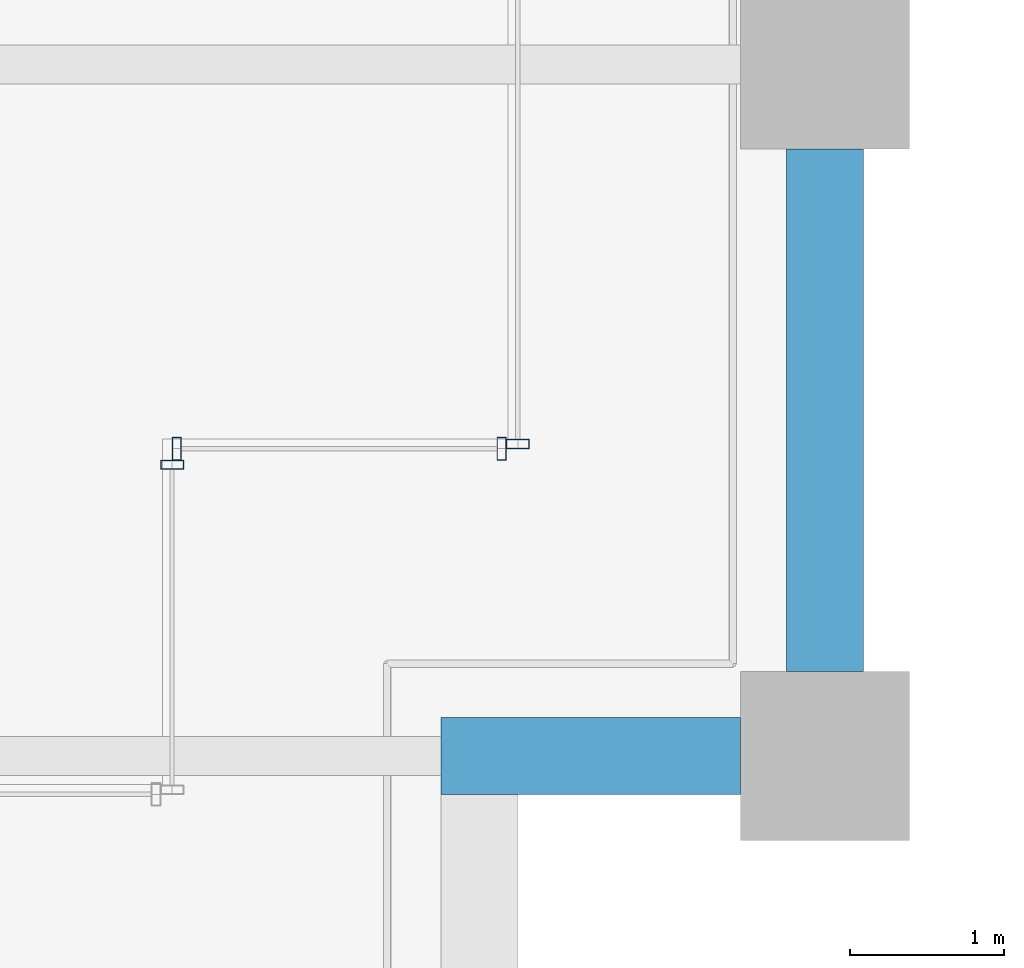
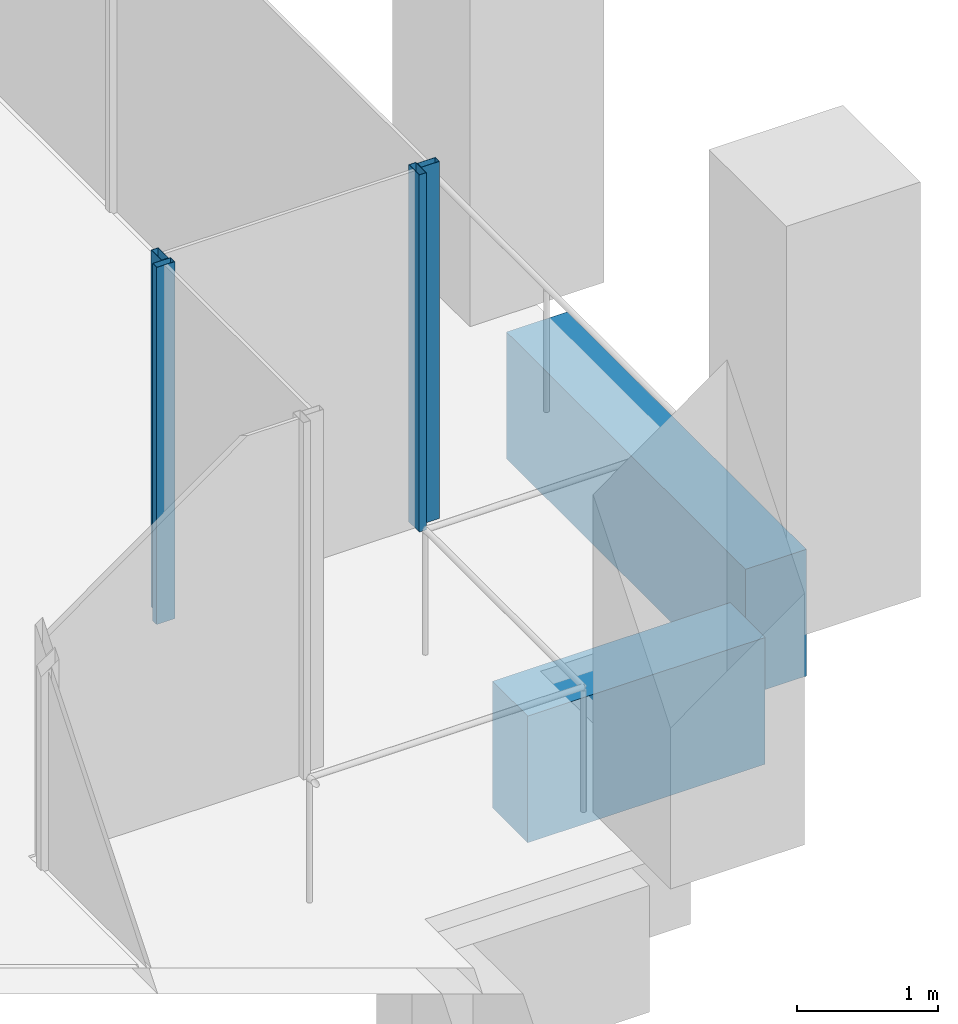
# One storey, part 16 of 56: 4 members, 2 beams, 3 elements without a shape of their own.
"""IFC4 building model written with IfcOpenShell, lengths in metres."""

from ifc_helpers import new_model, si_unit, direction, frame, origin, origin_2d, place, context, subcontext, project, spatial, rectangle, hollow_rectangle, extrude, material, material_profile, profile_set, type_object, element, aggregate, save


model = new_model("IFC4")

# Units and contexts
model_context = context("Model", 3, precision=1e-05, world=origin(), true_north=direction((0.0, 1.0)))
body_context = subcontext(model_context, "Body", "Model", "MODEL_VIEW")
ifc_project = project(units=[si_unit("LENGTHUNIT", "METRE"), si_unit("AREAUNIT", "SQUARE_METRE"), si_unit("VOLUMEUNIT", "CUBIC_METRE"), si_unit("PLANEANGLEUNIT", "RADIAN"), si_unit("MASSUNIT", "GRAM", prefix="KILO")], contexts=[model_context])

# Site, building, storey
site_placement = place(None, origin())
site = spatial("IfcSite", under=ifc_project, at=site_placement, CompositionType="ELEMENT")
building_placement = place(site_placement, origin())
building = spatial("IfcBuilding", under=site, at=building_placement, Name="Altepetl Exchange Towers", CompositionType="ELEMENT")
storey_placement = place(building_placement, frame((0.0, 0.0, 79.800048828125)))
storey = spatial("IfcBuildingStorey", under=building, at=storey_placement, Name="L19", CompositionType="ELEMENT", Elevation=79.800048828125)

# Curtain wall, member
ifc_material_1 = material(Name="Aluminium 6063-T6 glazing", Category="aluminium")
curtain_wall_type = type_object("IfcCurtainWallType", Name="Loggia glazing system", PredefinedType="NOTDEFINED", material=ifc_material_1)
curtain_wall_1_placement = place(storey_placement, origin())
curtain_wall_1 = element("IfcCurtainWall", 1, at=curtain_wall_1_placement, inside=storey, type_object=curtain_wall_type, Name="CW1 run", PredefinedType="NOTDEFINED")
ifc_material_2 = material(Name="Aluminium 6063-T6", Category="aluminium")
ifc_material_profile_1 = material_profile(ifc_material_2, hollow_rectangle(XDim=0.06005859375, YDim=0.14990234375, WallThickness=0.0029296875, at=origin_2d()), Name="Mullion 60x150 aluminium")
ifc_profile_set_1 = profile_set([ifc_material_profile_1], Name="Aluminium 6063-T6")
member_type = type_object("IfcMemberType", Name="Mullion 60x150 aluminium", PredefinedType="MULLION", material=ifc_profile_set_1)
member_1_placement = place(storey_placement, frame((67.75, 33.39501953125, 0.0), z_axis=(0.0, 0.0, 1.0), x_axis=(0.0, 1.0, 0.0)))
member_1 = element("IfcMember", 2, at=member_1_placement, type_object=member_type, Name="MU1 mullion", PredefinedType="MULLION", context=body_context, shape_type="SweptSolid", body=[
    extrude(hollow_rectangle(XDim=0.06005859375, YDim=0.14990234375, WallThickness=0.0029296875, at=origin_2d()), origin(), (0.0, 0.0, 1.0), 3.099853515625),
])
aggregate(curtain_wall_1, [member_1])

# Curtain wall, members
curtain_wall_2_placement = place(storey_placement, origin())
curtain_wall_2 = element("IfcCurtainWall", 3, at=curtain_wall_2_placement, inside=storey, type_object=curtain_wall_type, Name="CW1 run", PredefinedType="NOTDEFINED")
member_2_placement = place(storey_placement, frame((67.780029296875, 33.5, 0.0)))
member_2 = element("IfcMember", 4, at=member_2_placement, type_object=member_type, Name="MU1 mullion", PredefinedType="MULLION", context=body_context, shape_type="SweptSolid", body=[
    extrude(hollow_rectangle(XDim=0.06005859375, YDim=0.14990234375, WallThickness=0.0029296875, at=origin_2d()), origin(), (0.0, 0.0, 1.0), 3.099853515625),
])
member_3_placement = place(storey_placement, frame((69.89501953125, 33.5, 0.0)))
member_3 = element("IfcMember", 5, at=member_3_placement, type_object=member_type, Name="MU1 mullion", PredefinedType="MULLION", context=body_context, shape_type="SweptSolid", body=[
    extrude(hollow_rectangle(XDim=0.06005859375, YDim=0.14990234375, WallThickness=0.0029296875, at=origin_2d()), origin(), (0.0, 0.0, 1.0), 3.099853515625),
])
aggregate(curtain_wall_2, [member_2, member_3])

# Curtain wall, member
curtain_wall_3_placement = place(storey_placement, origin())
curtain_wall_3 = element("IfcCurtainWall", 6, at=curtain_wall_3_placement, inside=storey, type_object=curtain_wall_type, Name="CW1 run", PredefinedType="NOTDEFINED")
member_4_placement = place(storey_placement, frame((70.0, 33.530029296875, 0.0), z_axis=(0.0, 0.0, 1.0), x_axis=(0.0, 1.0, 0.0)))
member_4 = element("IfcMember", 7, at=member_4_placement, type_object=member_type, Name="MU1 mullion", PredefinedType="MULLION", context=body_context, shape_type="SweptSolid", body=[
    extrude(hollow_rectangle(XDim=0.06005859375, YDim=0.14990234375, WallThickness=0.0029296875, at=origin_2d()), origin(), (0.0, 0.0, 1.0), 3.099853515625),
])
aggregate(curtain_wall_3, [member_4])

# Beams
ifc_material_3 = material(Name="Concrete C50/60 precast with cantera amarilla facing", Category="concrete")
ifc_material_profile_2 = material_profile(ifc_material_3, rectangle(XDim=0.5, YDim=1.10009765625, at=origin_2d()), Name="500 x 1100")
ifc_profile_set_2 = profile_set([ifc_material_profile_2], Name="Concrete C50/60 precast with cantera amarilla facing")
beam_type = type_object("IfcBeamType", Name="Spandrel beam 500x1100 cantera amarilla", PredefinedType="SPANDREL", material=ifc_profile_set_2)
beam_1_placement = place(storey_placement, frame((69.5, 31.5, -0.699951171875), z_axis=(1.0, 0.0, 0.0), x_axis=(0.0, 1.0, 0.0)))
element("IfcBeam", 8, at=beam_1_placement, inside=storey, type_object=beam_type, Name="sp:A:L19:011", PredefinedType="SPANDREL", context=body_context, shape_type="SweptSolid", body=[
    extrude(rectangle(XDim=0.5, YDim=1.10009765625, at=origin_2d()), origin(), (0.0, 0.0, 1.0), 1.949951171875),
])
beam_2_placement = place(storey_placement, frame((72.0, 32.050048828125, -0.699951171875), z_axis=(0.0, 1.0, 0.0), x_axis=(-1.0, 0.0, 0.0)))
element("IfcBeam", 9, at=beam_2_placement, inside=storey, type_object=beam_type, Name="sp:A:L19:012", PredefinedType="SPANDREL", context=body_context, shape_type="SweptSolid", body=[
    extrude(rectangle(XDim=0.5, YDim=1.10009765625, at=origin_2d()), origin(), (0.0, 0.0, 1.0), 3.39990234375),
])

save(model, "model.ifc")
